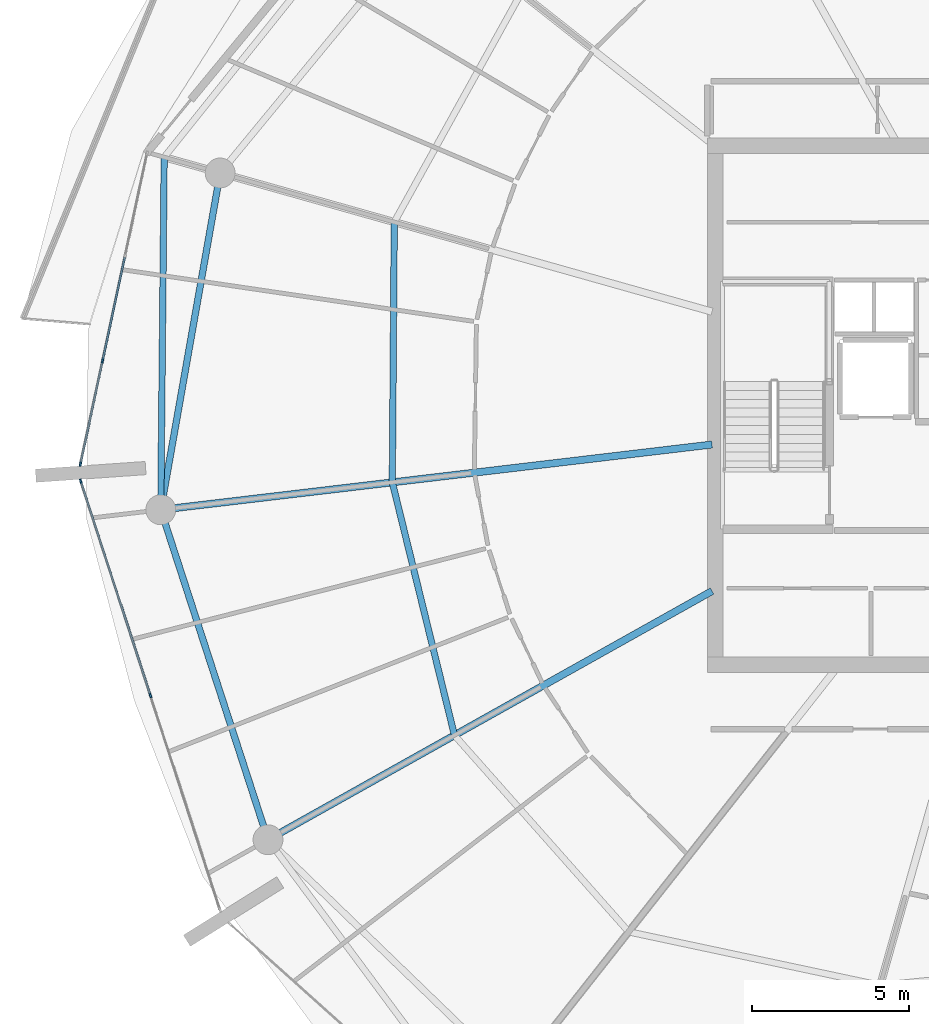
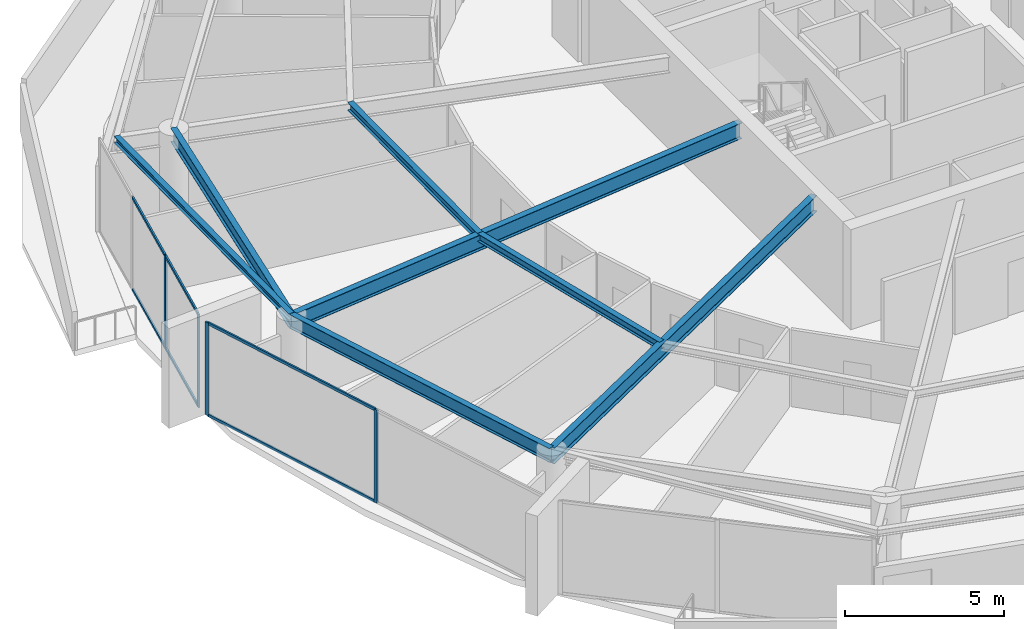
# One storey, part 8 of 30: 10 members, 7 beams, 2 elements without a shape of their own.
"""IFC4 building model written with IfcOpenShell, lengths in metres."""

from ifc_helpers import new_model, si_unit, direction, frame, origin, origin_2d, place, context, subcontext, project, spatial, rectangle, i_section, extrude, material, layer, layer_set, material_profile, profile_set, type_object, element, aggregate, save


model = new_model("IFC4")

# Units and contexts
model_context = context("Model", 3, precision=1e-05, world=origin(), true_north=direction((0.0, 1.0)))
body_context = subcontext(model_context, "Body", "Model", "MODEL_VIEW")
ifc_project = project(units=[si_unit("LENGTHUNIT", "METRE"), si_unit("AREAUNIT", "SQUARE_METRE"), si_unit("VOLUMEUNIT", "CUBIC_METRE"), si_unit("PLANEANGLEUNIT", "RADIAN"), si_unit("MASSUNIT", "GRAM", prefix="KILO")], contexts=[model_context])

# Site, building, storey
site_placement = place(None, origin())
site = spatial("IfcSite", under=ifc_project, at=site_placement, CompositionType="ELEMENT")
building_placement = place(site_placement, origin())
building = spatial("IfcBuilding", under=site, at=building_placement, Name="Kazma Halo Residences", CompositionType="ELEMENT")
storey_placement = place(building_placement, frame((0.0, 0.0, 298.300048828125)))
storey = spatial("IfcBuildingStorey", under=building, at=storey_placement, Name="L75", CompositionType="ELEMENT", Elevation=298.300048828125)

# Beams
ifc_material_1 = material(Name="Steel S355", Category="steel")
ifc_material_profile_1 = material_profile(ifc_material_1, i_section(OverallWidth=0.201904296875, OverallDepth=0.2470703125, WebThickness=0.00732421875, FlangeThickness=0.010986328125, FilletRadius=0.011962890625, at=origin_2d()), Name="W250x49.1")
ifc_profile_set_1 = profile_set([ifc_material_profile_1], Name="Steel S355")
beam_type_1 = type_object("IfcBeamType", Name="BM-BAL-CANT", PredefinedType="BEAM", material=ifc_profile_set_1)
beam_1_placement = place(storey_placement, frame((20.028564453125, 49.888916015625, 3.466552734375), z_axis=(-0.009645503464, -0.999953481049, 0.0), x_axis=(0.999953481049, -0.009645503464, 0.0)))
element("IfcBeam", 1, at=beam_1_placement, inside=storey, type_object=beam_type_1, Name="L75 wave-balcony tie beam 07", PredefinedType="BEAM", context=body_context, shape_type="SweptSolid", body=[
    extrude(i_section(OverallWidth=0.201904296875, OverallDepth=0.2470703125, WebThickness=0.00732421875, FlangeThickness=0.010986328125, FilletRadius=0.011962890625, at=origin_2d()), origin(), (0.0, 0.0, 1.0), 11.212890625),
])
ifc_material_profile_2 = material_profile(ifc_material_1, i_section(OverallWidth=0.22802734375, OverallDepth=0.60791015625, WebThickness=0.01123046875, FlangeThickness=0.017333984375, FilletRadius=0.01806640625, at=origin_2d()), Name="W610x113")
ifc_profile_set_2 = profile_set([ifc_material_profile_2], Name="Steel S355")
beam_type_2 = type_object("IfcBeamType", Name="BM-RAD-W610", PredefinedType="BEAM", material=ifc_profile_set_2)
beam_2_placement = place(storey_placement, frame((37.449951171875, 40.751220703125, 3.285888671875), z_axis=(-0.993068793341, -0.11753455531, 0.0), x_axis=(0.11753455531, -0.993068793341, 0.0)))
element("IfcBeam", 2, at=beam_2_placement, inside=storey, type_object=beam_type_2, Name="L75 radial floor beam 08", PredefinedType="BEAM", context=body_context, shape_type="SweptSolid", body=[
    extrude(i_section(OverallWidth=0.22802734375, OverallDepth=0.60791015625, WebThickness=0.01123046875, FlangeThickness=0.017333984375, FilletRadius=0.01806640625, at=origin_2d()), origin(), (0.0, 0.0, 1.0), 17.65185546875),
])
beam_3_placement = place(storey_placement, frame((37.449951171875, 36.091796875, 3.285888671875), z_axis=(-0.872497784052, -0.488618068459, 0.0), x_axis=(0.488618068459, -0.872497784052, 0.0)))
element("IfcBeam", 3, at=beam_3_placement, inside=storey, type_object=beam_type_2, Name="L75 radial floor beam 09", PredefinedType="BEAM", context=body_context, shape_type="SweptSolid", body=[
    extrude(i_section(OverallWidth=0.22802734375, OverallDepth=0.60791015625, WebThickness=0.01123046875, FlangeThickness=0.017333984375, FilletRadius=0.01806640625, at=origin_2d()), origin(), (0.0, 0.0, 1.0), 16.183837890625),
])
ifc_material_profile_3 = material_profile(ifc_material_1, i_section(OverallWidth=0.202880859375, OverallDepth=0.302978515625, WebThickness=0.007568359375, FlangeThickness=0.01318359375, FilletRadius=0.013916015625, at=origin_2d()), Name="W310x60")
ifc_profile_set_3 = profile_set([ifc_material_profile_3], Name="Steel S355")
beam_type_3 = type_object("IfcBeamType", Name="BM-SEC-W310A", PredefinedType="JOIST", material=ifc_profile_set_3)
beam_4_placement = place(storey_placement, frame((27.345458984375, 47.8251953125, 3.4384765625), z_axis=(-0.007550738936, -0.999971492764, 0.0), x_axis=(0.999971492764, -0.007550738936, 0.0)))
element("IfcBeam", 4, at=beam_4_placement, inside=storey, type_object=beam_type_3, Name="L75 circumferential floor joist 07", PredefinedType="JOIST", context=body_context, shape_type="SweptSolid", body=[
    extrude(i_section(OverallWidth=0.202880859375, OverallDepth=0.302978515625, WebThickness=0.007568359375, FlangeThickness=0.01318359375, FilletRadius=0.013916015625, at=origin_2d()), origin(), (0.0, 0.0, 1.0), 8.27734375),
])
beam_5_placement = place(storey_placement, frame((27.282958984375, 39.548095703125, 3.4384765625), z_axis=(0.238732984375, -0.971085249693, 0.0), x_axis=(0.971085249693, 0.238732984375, 0.0)))
element("IfcBeam", 5, at=beam_5_placement, inside=storey, type_object=beam_type_3, Name="L75 circumferential floor joist 08", PredefinedType="JOIST", context=body_context, shape_type="SweptSolid", body=[
    extrude(i_section(OverallWidth=0.202880859375, OverallDepth=0.302978515625, WebThickness=0.007568359375, FlangeThickness=0.01318359375, FilletRadius=0.013916015625, at=origin_2d()), origin(), (0.0, 0.0, 1.0), 8.282470703125),
])
ifc_material_profile_4 = material_profile(ifc_material_1, i_section(OverallWidth=0.208984375, OverallDepth=0.532958984375, WebThickness=0.01025390625, FlangeThickness=0.015625, FilletRadius=0.01611328125, at=origin_2d()), Name="W530x92")
ifc_profile_set_4 = profile_set([ifc_material_profile_4], Name="Steel S355")
beam_type_4 = type_object("IfcBeamType", Name="BM-SPN-W530", PredefinedType="BEAM", material=ifc_profile_set_4)
beam_6_placement = place(storey_placement, frame((21.80908203125, 49.38671875, 3.323486328125), z_axis=(-0.173663672311, -0.984805020763, 0.0), x_axis=(0.984805020763, -0.173663672311, 0.0)))
element("IfcBeam", 6, at=beam_6_placement, inside=storey, type_object=beam_type_4, Name="L75 perimeter ring beam 07", PredefinedType="BEAM", context=body_context, shape_type="SweptSolid", body=[
    extrude(i_section(OverallWidth=0.208984375, OverallDepth=0.532958984375, WebThickness=0.01025390625, FlangeThickness=0.015625, FilletRadius=0.01611328125, at=origin_2d()), origin(), (0.0, 0.0, 1.0), 10.87548828125),
])
beam_7_placement = place(storey_placement, frame((19.92041015625, 38.676513671875, 3.323486328125), z_axis=(0.309015517474, -0.951056996168, 0.0), x_axis=(0.951056996168, 0.309015517474, 0.0)))
element("IfcBeam", 7, at=beam_7_placement, inside=storey, type_object=beam_type_4, Name="L75 perimeter ring beam 08", PredefinedType="BEAM", context=body_context, shape_type="SweptSolid", body=[
    extrude(i_section(OverallWidth=0.208984375, OverallDepth=0.532958984375, WebThickness=0.01025390625, FlangeThickness=0.015625, FilletRadius=0.01611328125, at=origin_2d()), origin(), (0.0, 0.0, 1.0), 11.032470703125),
])

# Curtain wall, members
ifc_material_2 = material(Name="Aluminium AW-6063 T6 and Triple-Silver Low-E Glass", Category="aluminium")
ifc_layer = layer(ifc_material_2, 0.139892578125)
ifc_layer_set = layer_set([ifc_layer], Name="Aluminium AW-6063 T6 and Triple-Silver Low-E Glass")
curtain_wall_type = type_object("IfcCurtainWallType", Name="CW-SYS-5", PredefinedType="NOTDEFINED", material=ifc_layer_set)
curtain_wall_1_placement = place(storey_placement, origin())
curtain_wall_1 = element("IfcCurtainWall", 8, at=curtain_wall_1_placement, inside=storey, type_object=curtain_wall_type, Name="L75 unitised curtain wall B07", PredefinedType="NOTDEFINED")
ifc_material_3 = material(Name="Aluminium AW-6063 T6", Category="aluminium")
ifc_material_profile_5 = material_profile(ifc_material_3, rectangle(XDim=0.06005859375, YDim=0.139892578125, at=origin_2d()), Name="CWM-60x140")
ifc_profile_set_5 = profile_set([ifc_material_profile_5], Name="Aluminium AW-6063 T6")
member_type_1 = type_object("IfcMemberType", Name="CW-SYS-5-MUL", PredefinedType="MULLION", material=ifc_profile_set_5)
member_1_placement = place(storey_placement, frame((18.0703125, 43.412841796875, 0.0), z_axis=(0.0, 0.0, 1.0), x_axis=(0.97777491373, -0.209657382603, 0.0)))
member_1 = element("IfcMember", 9, at=member_1_placement, type_object=member_type_1, Name="CWS-5 mullion 3", PredefinedType="MULLION", context=body_context, shape_type="SweptSolid", body=[
    extrude(rectangle(XDim=0.06005859375, YDim=0.139892578125, at=origin_2d()), origin(), (0.0, 0.0, 1.0), 3.58984375),
])
member_2_placement = place(storey_placement, frame((17.3662109375, 40.12841796875, 0.0), z_axis=(0.0, 0.0, 1.0), x_axis=(0.97777491373, -0.209657382603, 0.0)))
member_2 = element("IfcMember", 10, at=member_2_placement, type_object=member_type_1, Name="CWS-5 mullion 4", PredefinedType="MULLION", context=body_context, shape_type="SweptSolid", body=[
    extrude(rectangle(XDim=0.06005859375, YDim=0.139892578125, at=origin_2d()), origin(), (0.0, 0.0, 1.0), 3.58984375),
])

curtain_wall_2_placement = place(storey_placement, origin())
curtain_wall_2 = element("IfcCurtainWall", 11, at=curtain_wall_2_placement, inside=storey, type_object=curtain_wall_type, Name="L75 unitised curtain wall B08", PredefinedType="NOTDEFINED")
member_3_placement = place(storey_placement, frame((17.377197265625, 39.587646484375, 0.0), z_axis=(0.0, 0.0, 1.0), x_axis=(0.951058464359, 0.309010998786, 0.0)))
member_3 = element("IfcMember", 12, at=member_3_placement, type_object=member_type_1, Name="CWS-5 mullion 1", PredefinedType="MULLION", context=body_context, shape_type="SweptSolid", body=[
    extrude(rectangle(XDim=0.06005859375, YDim=0.139892578125, at=origin_2d()), origin(), (0.0, 0.0, 1.0), 3.58984375),
])
member_4_placement = place(storey_placement, frame((19.59228515625, 32.769775390625, 0.0), z_axis=(0.0, 0.0, 1.0), x_axis=(0.951058464359, 0.309010998786, 0.0)))
member_4 = element("IfcMember", 13, at=member_4_placement, type_object=member_type_1, Name="CWS-5 mullion 2", PredefinedType="MULLION", context=body_context, shape_type="SweptSolid", body=[
    extrude(rectangle(XDim=0.06005859375, YDim=0.139892578125, at=origin_2d()), origin(), (0.0, 0.0, 1.0), 3.58984375),
])

# Member
ifc_material_profile_6 = material_profile(ifc_material_3, rectangle(XDim=0.06005859375, YDim=0.10498046875, at=origin_2d()), Name="CWT-60x105")
ifc_profile_set_6 = profile_set([ifc_material_profile_6], Name="Aluminium AW-6063 T6")
member_type_2 = type_object("IfcMemberType", Name="CW-SYS-5-TRN", PredefinedType="USERDEFINED", material=ifc_profile_set_6)
member_5_placement = place(storey_placement, frame((18.774658203125, 46.697265625, 0.030029296875), z_axis=(-0.209664309019, -0.977773428522, 0.0), x_axis=(0.977773428522, -0.209664309019, 0.0)))
member_5 = element("IfcMember", 14, at=member_5_placement, type_object=member_type_2, Name="CWS-5 transom 2.1", ObjectType="TRANSOM", PredefinedType="USERDEFINED", context=body_context, shape_type="SweptSolid", body=[
    extrude(rectangle(XDim=0.06005859375, YDim=0.10498046875, at=origin_2d()), origin(), (0.0, 0.0, 1.0), 3.3291015625),
])

member_6_placement = place(storey_placement, frame((18.774658203125, 46.697265625, 3.56005859375), z_axis=(-0.209664309019, -0.977773428522, 0.0), x_axis=(0.977773428522, -0.209664309019, 0.0)))
member_6 = element("IfcMember", 15, at=member_6_placement, type_object=member_type_2, Name="CWS-5 transom 2.2", ObjectType="TRANSOM", PredefinedType="USERDEFINED", context=body_context, shape_type="SweptSolid", body=[
    extrude(rectangle(XDim=0.06005859375, YDim=0.10498046875, at=origin_2d()), origin(), (0.0, 0.0, 1.0), 3.3291015625),
])

member_7_placement = place(storey_placement, frame((18.064208984375, 43.383544921875, 0.030029296875), z_axis=(-0.209645323239, -0.977777499457, 0.0), x_axis=(0.977777499457, -0.209645323239, 0.0)))
member_7 = element("IfcMember", 16, at=member_7_placement, type_object=member_type_2, Name="CWS-5 transom 3.1", ObjectType="TRANSOM", PredefinedType="USERDEFINED", context=body_context, shape_type="SweptSolid", body=[
    extrude(rectangle(XDim=0.06005859375, YDim=0.10498046875, at=origin_2d()), origin(), (0.0, 0.0, 1.0), 3.299072265625),
])

member_8_placement = place(storey_placement, frame((18.064208984375, 43.383544921875, 3.56005859375), z_axis=(-0.209645323239, -0.977777499457, 0.0), x_axis=(0.977777499457, -0.209645323239, 0.0)))
member_8 = element("IfcMember", 17, at=member_8_placement, type_object=member_type_2, Name="CWS-5 transom 3.2", ObjectType="TRANSOM", PredefinedType="USERDEFINED", context=body_context, shape_type="SweptSolid", body=[
    extrude(rectangle(XDim=0.06005859375, YDim=0.10498046875, at=origin_2d()), origin(), (0.0, 0.0, 1.0), 3.299072265625),
])

aggregate(curtain_wall_1, [member_1, member_2, member_5, member_6, member_7, member_8])

member_9_placement = place(storey_placement, frame((17.386474609375, 39.55908203125, 0.030029296875), z_axis=(0.308995987448, -0.951063341603, 0.0), x_axis=(0.951063341603, 0.308995987448, 0.0)))
member_9 = element("IfcMember", 18, at=member_9_placement, type_object=member_type_2, Name="CWS-5 transom 1.1", ObjectType="TRANSOM", PredefinedType="USERDEFINED", context=body_context, shape_type="SweptSolid", body=[
    extrude(rectangle(XDim=0.06005859375, YDim=0.10498046875, at=origin_2d()), origin(), (0.0, 0.0, 1.0), 7.108642578125),
])

member_10_placement = place(storey_placement, frame((17.386474609375, 39.55908203125, 3.56005859375), z_axis=(0.308995987448, -0.951063341603, 0.0), x_axis=(0.951063341603, 0.308995987448, 0.0)))
member_10 = element("IfcMember", 19, at=member_10_placement, type_object=member_type_2, Name="CWS-5 transom 1.2", ObjectType="TRANSOM", PredefinedType="USERDEFINED", context=body_context, shape_type="SweptSolid", body=[
    extrude(rectangle(XDim=0.06005859375, YDim=0.10498046875, at=origin_2d()), origin(), (0.0, 0.0, 1.0), 7.108642578125),
])

aggregate(curtain_wall_2, [member_3, member_4, member_9, member_10])

save(model, "model.ifc")
